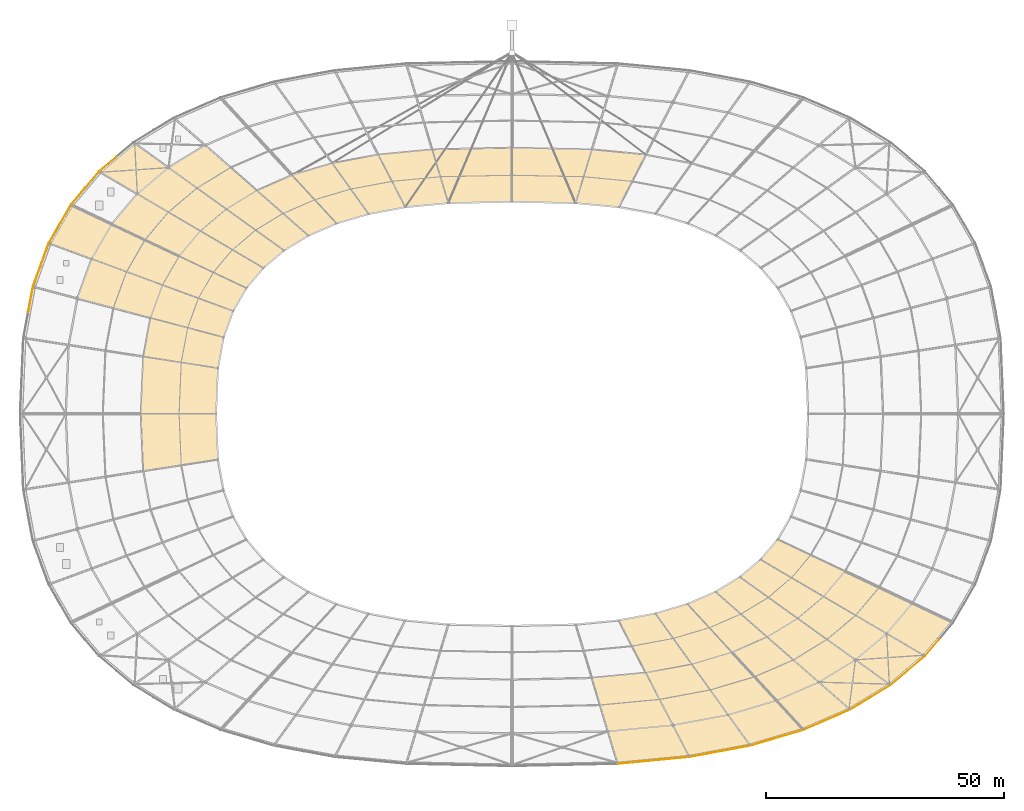
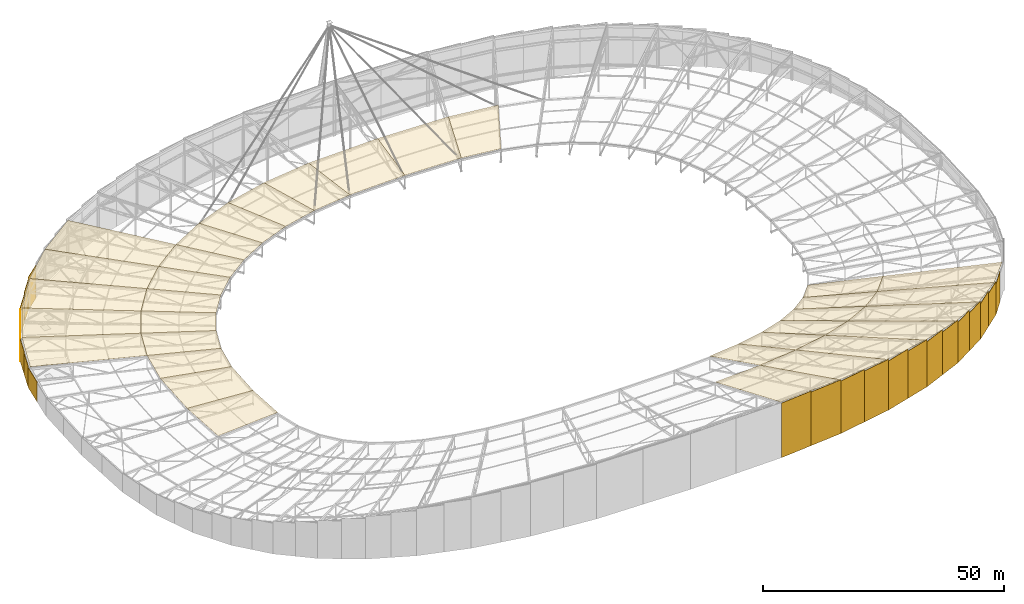
# One storey, part 141 of 143: 54 coverings.
"""IFC4 building model written with IfcOpenShell, lengths in metres."""

from ifc_helpers import new_model, si_unit, direction, frame, origin, origin_2d, place, context, subcontext, project, spatial, polyline, rectangle, outline, extrude, material, layer, layer_set, type_object, element, save


model = new_model("IFC4")

# Units and contexts
model_context = context("Model", 3, precision=1e-05, world=origin(), true_north=direction((0.0, 1.0)))
body_context = subcontext(model_context, "Body", "Model", "MODEL_VIEW")
ifc_project = project(units=[si_unit("LENGTHUNIT", "METRE"), si_unit("AREAUNIT", "SQUARE_METRE"), si_unit("VOLUMEUNIT", "CUBIC_METRE"), si_unit("PLANEANGLEUNIT", "RADIAN"), si_unit("MASSUNIT", "GRAM", prefix="KILO")], contexts=[model_context])

# Site, building, storey
site_placement = place(None, origin())
site = spatial("IfcSite", under=ifc_project, at=site_placement, CompositionType="ELEMENT")
building_placement = place(site_placement, origin())
building = spatial("IfcBuilding", under=site, at=building_placement, Name="Mphavela Belvedere Stadium", CompositionType="ELEMENT")
storey_placement = place(building_placement, frame((0.0, 0.0, 28.800048828125)))
storey = spatial("IfcBuildingStorey", under=building, at=storey_placement, Name="RF", CompositionType="ELEMENT", Elevation=28.800048828125)

# Coverings
ifc_material_1 = material(Name="Carved classical limestone entablature frieze cladding", Category="masonry")
ifc_layer_1 = layer(ifc_material_1, 0.06005859375)
ifc_layer_set_1 = layer_set([ifc_layer_1], Name="Carved classical limestone entablature frieze cladding")
covering_type_1 = type_object("IfcCoveringType", Name="COV-FRIEZE-CLAD", PredefinedType="CLADDING", material=ifc_layer_set_1)
covering_1_placement = place(storey_placement, frame((30.17041015625, 139.345947265625, 0.0), z_axis=(0.0, 0.0, 1.0), x_axis=(-0.764246456939, -0.644924300253, 0.0)))
element("IfcCovering", 1, at=covering_1_placement, inside=storey, type_object=covering_type_1, Name="Classical perforated limestone roof attic screen 19-2", PredefinedType="CLADDING", context=body_context, shape_type="SweptSolid", body=[
    extrude(rectangle(XDim=4.755126953125, YDim=0.080078125, at=origin_2d()), origin(), (0.0, 0.0, 1.0), 8.38427734375),
])
covering_2_placement = place(storey_placement, frame((26.887451171875, 136.071533203125, 0.0), z_axis=(0.0, 0.0, 1.0), x_axis=(-0.645191033296, -0.764021289334, 0.0)))
element("IfcCovering", 2, at=covering_2_placement, inside=storey, type_object=covering_type_1, Name="Classical perforated limestone roof attic screen 20-1", PredefinedType="CLADDING", context=body_context, shape_type="SweptSolid", body=[
    extrude(rectangle(XDim=4.631103515625, YDim=0.080078125, at=origin_2d()), origin(), (0.0, 0.0, 1.0), 7.7841796875),
])
covering_3_placement = place(storey_placement, frame((23.92529296875, 132.563720703125, 0.0), z_axis=(0.0, 0.0, 1.0), x_axis=(-0.645191033296, -0.764021289334, 0.0)))
element("IfcCovering", 3, at=covering_3_placement, inside=storey, type_object=covering_type_1, Name="Classical perforated limestone roof attic screen 20-2", PredefinedType="CLADDING", context=body_context, shape_type="SweptSolid", body=[
    extrude(rectangle(XDim=4.631103515625, YDim=0.080078125, at=origin_2d()), origin(), (0.0, 0.0, 1.0), 7.205322265625),
])
covering_4_placement = place(storey_placement, frame((21.286865234375, 128.80810546875, 0.0), z_axis=(0.0, 0.0, 1.0), x_axis=(-0.500604477892, -0.865676126917, 0.0)))
element("IfcCovering", 4, at=covering_4_placement, inside=storey, type_object=covering_type_1, Name="Classical perforated limestone roof attic screen 21-1", PredefinedType="CLADDING", context=body_context, shape_type="SweptSolid", body=[
    extrude(rectangle(XDim=4.6640625, YDim=0.080078125, at=origin_2d()), origin(), (0.0, 0.0, 1.0), 6.66748046875),
])
covering_5_placement = place(storey_placement, frame((18.972412109375, 124.804931640625, 0.0), z_axis=(0.0, 0.0, 1.0), x_axis=(-0.500604477892, -0.865676126917, 0.0)))
element("IfcCovering", 5, at=covering_5_placement, inside=storey, type_object=covering_type_1, Name="Classical perforated limestone roof attic screen 21-2", PredefinedType="CLADDING", context=body_context, shape_type="SweptSolid", body=[
    extrude(rectangle(XDim=4.6640625, YDim=0.080078125, at=origin_2d()), origin(), (0.0, 0.0, 1.0), 6.17041015625),
])
covering_6_placement = place(storey_placement, frame((16.985107421875, 120.515869140625, 0.0), z_axis=(0.0, 0.0, 1.0), x_axis=(-0.341035912161, -0.940050268133, 0.0)))
element("IfcCovering", 6, at=covering_6_placement, inside=storey, type_object=covering_type_1, Name="Classical perforated limestone roof attic screen 22-1", PredefinedType="CLADDING", context=body_context, shape_type="SweptSolid", body=[
    extrude(rectangle(XDim=4.9072265625, YDim=0.080078125, at=origin_2d()), origin(), (0.0, 0.0, 1.0), 5.731201171875),
])
covering_7_placement = place(storey_placement, frame((15.3251953125, 115.9404296875, 0.0), z_axis=(0.0, 0.0, 1.0), x_axis=(-0.341035912161, -0.940050268133, 0.0)))
element("IfcCovering", 7, at=covering_7_placement, inside=storey, type_object=covering_type_1, Name="Classical perforated limestone roof attic screen 22-2", PredefinedType="CLADDING", context=body_context, shape_type="SweptSolid", body=[
    extrude(rectangle(XDim=4.9072265625, YDim=0.080078125, at=origin_2d()), origin(), (0.0, 0.0, 1.0), 5.349853515625),
])
covering_8_placement = place(storey_placement, frame((13.995849609375, 110.964111328125, 0.0), z_axis=(0.0, 0.0, 1.0), x_axis=(-0.182578735093, -0.983191235463, 0.0)))
element("IfcCovering", 8, at=covering_8_placement, inside=storey, type_object=covering_type_1, Name="Classical perforated limestone roof attic screen 23-1", PredefinedType="CLADDING", context=body_context, shape_type="SweptSolid", body=[
    extrude(rectangle(XDim=5.5087890625, YDim=0.080078125, at=origin_2d()), origin(), (0.0, 0.0, 1.0), 5.039306640625),
])
covering_9_placement = place(storey_placement, frame((140.94189453125, 13.915283203125, 0.0), z_axis=(0.0, 0.0, 1.0), x_axis=(0.995479460536, 0.094977069084, 0.0)))
element("IfcCovering", 9, at=covering_9_placement, inside=storey, type_object=covering_type_1, Name="Classical perforated limestone roof attic screen 38-1", PredefinedType="CLADDING", context=body_context, shape_type="SweptSolid", body=[
    extrude(rectangle(XDim=7.57861328125, YDim=0.080078125, at=origin_2d()), origin(), (0.0, 0.0, 1.0), 13.83251953125),
])
covering_10_placement = place(storey_placement, frame((148.446533203125, 14.631103515625, 0.0), z_axis=(0.0, 0.0, 1.0), x_axis=(0.995479460536, 0.094977069084, 0.0)))
element("IfcCovering", 10, at=covering_10_placement, inside=storey, type_object=covering_type_1, Name="Classical perforated limestone roof attic screen 38-2", PredefinedType="CLADDING", context=body_context, shape_type="SweptSolid", body=[
    extrude(rectangle(XDim=7.57861328125, YDim=0.080078125, at=origin_2d()), origin(), (0.0, 0.0, 1.0), 13.5927734375),
])
covering_11_placement = place(storey_placement, frame((155.3916015625, 15.58349609375, 0.0), z_axis=(0.0, 0.0, 1.0), x_axis=(0.983095502692, 0.183093507769, 0.0)))
element("IfcCovering", 11, at=covering_11_placement, inside=storey, type_object=covering_type_1, Name="Classical perforated limestone roof attic screen 39-1", PredefinedType="CLADDING", context=body_context, shape_type="SweptSolid", body=[
    extrude(rectangle(XDim=6.53564453125, YDim=0.080078125, at=origin_2d()), origin(), (0.0, 0.0, 1.0), 13.2822265625),
])
covering_12_placement = place(storey_placement, frame((161.77734375, 16.772705078125, 0.0), z_axis=(0.0, 0.0, 1.0), x_axis=(0.983095502692, 0.183093507769, 0.0)))
element("IfcCovering", 12, at=covering_12_placement, inside=storey, type_object=covering_type_1, Name="Classical perforated limestone roof attic screen 39-2", PredefinedType="CLADDING", context=body_context, shape_type="SweptSolid", body=[
    extrude(rectangle(XDim=6.53564453125, YDim=0.080078125, at=origin_2d()), origin(), (0.0, 0.0, 1.0), 12.90087890625),
])
covering_13_placement = place(storey_placement, frame((167.763916015625, 18.196533203125, 0.0), z_axis=(0.0, 0.0, 1.0), x_axis=(0.958670893355, 0.284517342588, 0.0)))
element("IfcCovering", 13, at=covering_13_placement, inside=storey, type_object=covering_type_1, Name="Classical perforated limestone roof attic screen 40-1", PredefinedType="CLADDING", context=body_context, shape_type="SweptSolid", body=[
    extrude(rectangle(XDim=5.867919921875, YDim=0.080078125, at=origin_2d()), origin(), (0.0, 0.0, 1.0), 12.461669921875),
])
covering_14_placement = place(storey_placement, frame((173.35107421875, 19.85498046875, 0.0), z_axis=(0.0, 0.0, 1.0), x_axis=(0.958670893355, 0.284517342588, 0.0)))
element("IfcCovering", 14, at=covering_14_placement, inside=storey, type_object=covering_type_1, Name="Classical perforated limestone roof attic screen 40-2", PredefinedType="CLADDING", context=body_context, shape_type="SweptSolid", body=[
    extrude(rectangle(XDim=5.867919921875, YDim=0.080078125, at=origin_2d()), origin(), (0.0, 0.0, 1.0), 11.964599609375),
])
covering_15_placement = place(storey_placement, frame((178.59228515625, 21.745361328125, 0.0), z_axis=(0.0, 0.0, 1.0), x_axis=(0.917477140523, 0.397788507398, 0.0)))
element("IfcCovering", 15, at=covering_15_placement, inside=storey, type_object=covering_type_1, Name="Classical perforated limestone roof attic screen 41-1", PredefinedType="CLADDING", context=body_context, shape_type="SweptSolid", body=[
    extrude(rectangle(XDim=5.376220703125, YDim=0.080078125, at=origin_2d()), origin(), (0.0, 0.0, 1.0), 11.426513671875),
])
covering_16_placement = place(storey_placement, frame((183.48828125, 23.867919921875, 0.0), z_axis=(0.0, 0.0, 1.0), x_axis=(0.917477140523, 0.397788507398, 0.0)))
element("IfcCovering", 16, at=covering_16_placement, inside=storey, type_object=covering_type_1, Name="Classical perforated limestone roof attic screen 41-2", PredefinedType="CLADDING", context=body_context, shape_type="SweptSolid", body=[
    extrude(rectangle(XDim=5.376220703125, YDim=0.080078125, at=origin_2d()), origin(), (0.0, 0.0, 1.0), 10.84765625),
])
covering_17_placement = place(storey_placement, frame((188.058349609375, 26.219970703125, 0.0), z_axis=(0.0, 0.0, 1.0), x_axis=(0.854368143929, 0.519668235165, 0.0)))
element("IfcCovering", 17, at=covering_17_placement, inside=storey, type_object=covering_type_1, Name="Classical perforated limestone roof attic screen 42-1", PredefinedType="CLADDING", context=body_context, shape_type="SweptSolid", body=[
    extrude(rectangle(XDim=5.0078125, YDim=0.080078125, at=origin_2d()), origin(), (0.0, 0.0, 1.0), 10.247802734375),
])
covering_18_placement = place(storey_placement, frame((192.30224609375, 28.802001953125, 0.0), z_axis=(0.0, 0.0, 1.0), x_axis=(0.854368143929, 0.519668235165, 0.0)))
element("IfcCovering", 18, at=covering_18_placement, inside=storey, type_object=covering_type_1, Name="Classical perforated limestone roof attic screen 42-2", PredefinedType="CLADDING", context=body_context, shape_type="SweptSolid", body=[
    extrude(rectangle(XDim=5.0078125, YDim=0.080078125, at=origin_2d()), origin(), (0.0, 0.0, 1.0), 9.626708984375),
])
covering_19_placement = place(storey_placement, frame((196.226318359375, 31.61328125, 0.0), z_axis=(0.0, 0.0, 1.0), x_axis=(0.764246456939, 0.644924300253, 0.0)))
element("IfcCovering", 19, at=covering_19_placement, inside=storey, type_object=covering_type_1, Name="Classical perforated limestone roof attic screen 43-1", PredefinedType="CLADDING", context=body_context, shape_type="SweptSolid", body=[
    extrude(rectangle(XDim=4.755126953125, YDim=0.080078125, at=origin_2d()), origin(), (0.0, 0.0, 1.0), 9.00537109375),
])
covering_20_placement = place(storey_placement, frame((199.82958984375, 34.654052734375, 0.0), z_axis=(0.0, 0.0, 1.0), x_axis=(0.764246456939, 0.644924300253, 0.0)))
element("IfcCovering", 20, at=covering_20_placement, inside=storey, type_object=covering_type_1, Name="Classical perforated limestone roof attic screen 43-2", PredefinedType="CLADDING", context=body_context, shape_type="SweptSolid", body=[
    extrude(rectangle(XDim=4.755126953125, YDim=0.080078125, at=origin_2d()), origin(), (0.0, 0.0, 1.0), 8.38427734375),
])
covering_21_placement = place(storey_placement, frame((203.112548828125, 37.928466796875, 0.0), z_axis=(0.0, 0.0, 1.0), x_axis=(0.645191033296, 0.764021289334, 0.0)))
element("IfcCovering", 21, at=covering_21_placement, inside=storey, type_object=covering_type_1, Name="Classical perforated limestone roof attic screen 44-1", PredefinedType="CLADDING", context=body_context, shape_type="SweptSolid", body=[
    extrude(rectangle(XDim=4.631103515625, YDim=0.080078125, at=origin_2d()), origin(), (0.0, 0.0, 1.0), 7.7841796875),
])
ifc_material_2 = material(Name="Translucent polycarbonate roof panel")
ifc_layer_2 = layer(ifc_material_2, 0.0400390625)
ifc_layer_set_2 = layer_set([ifc_layer_2], Name="Translucent polycarbonate roof panel")
covering_type_2 = type_object("IfcCoveringType", Name="COV-ROOF-POLY", PredefinedType="ROOFING", material=ifc_layer_set_2)
covering_22_placement = place(storey_placement, frame((137.383544921875, 130.331298828125, 7.40185546875), z_axis=(0.010754843789, -0.215397933483, 0.9764671339), x_axis=(-0.99497894727, 0.09486931148, 0.031885862528)))
element("IfcCovering", 22, at=covering_22_placement, inside=storey, type_object=covering_type_2, Name="Saddle canopy UV polycarbonate covering 11-1", PredefinedType="ROOFING", context=body_context, shape_type="SweptSolid", body=[
    extrude(outline(polyline([(0.0, 0.0), (9.076826638660473, -9.71445146547012e-17), (6.845965090931907, -11.763015673818451), (-4.535648147716331, -11.762974657937733), (0.0, 0.0)])), origin(), (0.0, 0.0, -1.0), 0.0400390625),
])
covering_23_placement = place(storey_placement, frame((128.352294921875, 131.1923828125, 7.69140625), z_axis=(0.002641050569, -0.213073375177, 0.977032630797), x_axis=(-0.999740814081, 0.021530802958, 0.007397917608)))
element("IfcCovering", 23, at=covering_23_placement, inside=storey, type_object=covering_type_2, Name="Saddle canopy UV polycarbonate covering 12-1", PredefinedType="ROOFING", context=body_context, shape_type="SweptSolid", body=[
    extrude(outline(polyline([(0.0, 0.0), (13.35575608093119, -6.938893903907228e-18), (13.61714060358537, -11.556227634205616), (-3.1296278081659983, -11.556414268979767), (0.0, 0.0)])), origin(), (0.0, 0.0, -1.0), 0.0400390625),
])
covering_24_placement = place(storey_placement, frame((115.0, 131.47998046875, 7.7900390625), z_axis=(-0.002641050569, -0.213073375177, 0.977032630797), x_axis=(-0.999740814081, -0.021530802958, -0.007397917608)))
element("IfcCovering", 24, at=covering_24_placement, inside=storey, type_object=covering_type_2, Name="Saddle canopy UV polycarbonate covering 13-1", PredefinedType="ROOFING", context=body_context, shape_type="SweptSolid", body=[
    extrude(outline(polyline([(0.0, 0.0), (13.35575608093119, 6.938893903907228e-18), (16.48538388909719, -11.556414268979768), (-0.261384522654181, -11.556227634205616), (0.0, 0.0)])), origin(), (0.0, 0.0, -1.0), 0.0400390625),
])
covering_25_placement = place(storey_placement, frame((101.647705078125, 131.1923828125, 7.69140625), z_axis=(-0.010754843789, -0.215397933483, 0.9764671339), x_axis=(-0.99497894727, -0.09486931148, -0.031885862528)))
element("IfcCovering", 25, at=covering_25_placement, inside=storey, type_object=covering_type_2, Name="Saddle canopy UV polycarbonate covering 14-1", PredefinedType="ROOFING", context=body_context, shape_type="SweptSolid", body=[
    extrude(outline(polyline([(0.0, 0.0), (9.076826638660473, 9.71445146547012e-17), (13.612474786376803, -11.762974657937733), (2.2308615477285656, -11.763015673818451), (0.0, 0.0)])), origin(), (0.0, 0.0, -1.0), 0.0400390625),
])
covering_26_placement = place(storey_placement, frame((92.616455078125, 130.331298828125, 7.40185546875), z_axis=(-0.017716384697, -0.218808731373, 0.975606923299), x_axis=(-0.981391537632, -0.182787366369, -0.058816907092)))
element("IfcCovering", 26, at=covering_26_placement, inside=storey, type_object=covering_type_2, Name="Saddle canopy UV polycarbonate covering 15-1", PredefinedType="ROOFING", context=body_context, shape_type="SweptSolid", body=[
    extrude(outline(polyline([(0.0, 0.0), (7.830774862642115, 1.1102230246251565e-16), (13.246390116368696, -12.132352860810734), (3.4274558578971215, -12.132280217011813), (0.0, 0.0)])), origin(), (0.0, 0.0, -1.0), 0.0400390625),
])
covering_27_placement = place(storey_placement, frame((84.931396484375, 128.89990234375, 6.94140625), z_axis=(-0.02136301792, -0.22128636647, 0.974974853768), x_axis=(-0.955175670679, -0.283492592206, -0.085272435795)))
element("IfcCovering", 27, at=covering_27_placement, inside=storey, type_object=covering_type_2, Name="Saddle canopy UV polycarbonate covering 16-1", PredefinedType="ROOFING", context=body_context, shape_type="SweptSolid", body=[
    extrude(outline(polyline([(0.0, 0.0), (7.039415652952659, -4.3021142204224816e-16), (12.91152905987907, -12.642406997704702), (4.084621322207358, -12.642734798396608), (0.0, 0.0)])), origin(), (0.0, 0.0, -1.0), 0.0400390625),
])
covering_28_placement = place(storey_placement, frame((78.20751953125, 126.904296875, 6.341064453125), z_axis=(-0.020204280881, -0.220276327058, 0.975228243424), x_axis=(-0.912114152586, -0.395397621175, -0.108205793839)))
element("IfcCovering", 28, at=covering_28_placement, inside=storey, type_object=covering_type_2, Name="Saddle canopy UV polycarbonate covering 17-1", PredefinedType="ROOFING", context=body_context, shape_type="SweptSolid", body=[
    extrude(outline(polyline([(0.0, 0.0), (6.45981593237783, 3.608224830031759e-16), (12.388013676487063, -13.263782340583806), (4.287993344447949, -13.263682883832265), (0.0, 0.0)])), origin(), (0.0, 0.0, -1.0), 0.0400390625),
])
covering_29_placement = place(storey_placement, frame((72.3154296875, 124.35009765625, 5.64208984375), z_axis=(-0.013733179277, -0.213217345018, 0.976908267736), x_axis=(-0.847661594351, -0.51572778505, -0.124477601161)))
element("IfcCovering", 29, at=covering_29_placement, inside=storey, type_object=covering_type_2, Name="Saddle canopy UV polycarbonate covering 18-1", PredefinedType="ROOFING", context=body_context, shape_type="SweptSolid", body=[
    extrude(outline(polyline([(0.0, 0.0), (6.0253073712629135, -2.7755575615628914e-17), (11.612466484057926, -13.95043429279805), (4.057328206644785, -13.950252266363531), (0.0, 0.0)])), origin(), (0.0, 0.0, -1.0), 0.0400390625),
])
covering_30_placement = place(storey_placement, frame((61.4775390625, 133.83349609375, 7.5595703125), z_axis=(-0.013732704437, -0.21322645444, 0.976906286169), x_axis=(-0.847674309717, -0.515706824103, -0.124477854334)))
element("IfcCovering", 30, at=covering_30_placement, inside=storey, type_object=covering_type_2, Name="Saddle canopy UV polycarbonate covering 18-2", PredefinedType="ROOFING", context=body_context, shape_type="SweptSolid", body=[
    extrude(outline(polyline([(0.0, 0.0), (7.555138279601496, 5.828670879282072e-16), (16.409120716801258, -22.10560024004622), (6.429873982060302, -22.105453772882665), (0.0, 0.0)])), origin(), (0.0, 0.0, -1.0), 0.0400390625),
])
covering_31_placement = place(storey_placement, frame((67.2080078125, 121.24267578125, 4.89208984375), z_axis=(-0.002399905899, -0.198067178386, 0.980185509635), x_axis=(-0.757684743697, -0.639328589007, -0.131044971089)))
element("IfcCovering", 31, at=covering_31_placement, inside=storey, type_object=covering_type_2, Name="Saddle canopy UV polycarbonate covering 19-1", PredefinedType="ROOFING", context=body_context, shape_type="SweptSolid", body=[
    extrude(outline(polyline([(0.0, 0.0), (5.723903614211194, 9.71445146547012e-17), (10.586440190159847, -14.635437630919384), (3.4093118493480654, -14.635831257513168), (0.0, 0.0)])), origin(), (0.0, 0.0, -1.0), 0.0400390625),
])
covering_32_placement = place(storey_placement, frame((55.0732421875, 129.937255859375, 6.619140625), z_axis=(-0.002392054769, -0.198047747663, 0.980189455013), x_axis=(-0.757648995264, -0.639373077979, -0.131034602797)))
element("IfcCovering", 32, at=covering_32_placement, inside=storey, type_object=covering_type_2, Name="Saddle canopy UV polycarbonate covering 19-2", PredefinedType="ROOFING", context=body_context, shape_type="SweptSolid", body=[
    extrude(outline(polyline([(0.0, 0.0), (7.177128353319401, 1.1657341758564144e-15), (14.88129010369906, -23.192590789533337), (5.401170186067652, -23.192195402589856), (0.0, 0.0)])), origin(), (0.0, 0.0, -1.0), 0.0400390625),
])
covering_33_placement = place(storey_placement, frame((62.87109375, 117.583251953125, 4.141845703125), z_axis=(0.012499055619, -0.173574574961, 0.984741407952), x_axis=(-0.6400544145, -0.758012864044, -0.125486431227)))
element("IfcCovering", 33, at=covering_33_placement, inside=storey, type_object=covering_type_2, Name="Saddle canopy UV polycarbonate covering 20-1", PredefinedType="ROOFING", context=body_context, shape_type="SweptSolid", body=[
    extrude(outline(polyline([(0.0, 0.0), (5.569368925132809, -4.996003610813204e-16), (9.376089652424456, -15.235529322913775), (2.3925722009111072, -15.235350172096126), (0.0, 0.0)])), origin(), (0.0, 0.0, -1.0), 0.0400390625),
])
covering_34_placement = place(storey_placement, frame((49.635498046875, 125.348388671875, 5.6787109375), z_axis=(0.012483112725, -0.173591051891, 0.984738705749), x_axis=(-0.640074409653, -0.757992736839, -0.125506019804)))
element("IfcCovering", 34, at=covering_34_placement, inside=storey, type_object=covering_type_2, Name="Saddle canopy UV polycarbonate covering 20-2", PredefinedType="ROOFING", context=body_context, shape_type="SweptSolid", body=[
    extrude(outline(polyline([(0.0, 0.0), (6.98351745546173, -1.0269562977782698e-15), (13.016169062510098, -24.142586709938037), (3.7919935290934816, -24.142724802360682), (0.0, 0.0)])), origin(), (0.0, 0.0, -1.0), 0.0400390625),
])
covering_35_placement = place(storey_placement, frame((59.306396484375, 113.361572265625, 3.443115234375), z_axis=(0.028856356997, -0.140011464477, 0.989729306667), x_axis=(-0.497643603936, -0.860725094897, -0.107252759761)))
element("IfcCovering", 35, at=covering_35_placement, inside=storey, type_object=covering_type_2, Name="Saddle canopy UV polycarbonate covering 21-1", PredefinedType="ROOFING", context=body_context, shape_type="SweptSolid", body=[
    extrude(outline(polyline([(0.0, 0.0), (5.597177419716359, 3.191891195797325e-16), (8.148600632607241, -15.663475709530788), (1.1302001631519305, -15.663177329598065), (0.0, 0.0)])), origin(), (0.0, 0.0, -1.0), 0.0400390625),
])
covering_36_placement = place(storey_placement, frame((45.16552734375, 120.054931640625, 4.80224609375), z_axis=(0.028862152723, -0.140004301385, 0.989730150967), x_axis=(-0.49768019511, -0.860705565907, -0.107239695134)))
element("IfcCovering", 36, at=covering_36_placement, inside=storey, type_object=covering_type_2, Name="Saddle canopy UV polycarbonate covering 21-2", PredefinedType="ROOFING", context=body_context, shape_type="SweptSolid", body=[
    extrude(outline(polyline([(0.0, 0.0), (7.018400475773272, -3.0531133177191805e-16), (11.062363237996466, -24.820278195535746), (1.7917869742502843, -24.820291656156545), (0.0, 0.0)])), origin(), (0.0, 0.0, -1.0), 0.0400390625),
])
covering_37_placement = place(storey_placement, frame((56.52099609375, 108.5439453125, 2.8427734375), z_axis=(0.044251671248, -0.099185327266, 0.994084533854), x_axis=(-0.340014874302, -0.937148983878, -0.078368790151)))
element("IfcCovering", 37, at=covering_37_placement, inside=storey, type_object=covering_type_2, Name="Saddle canopy UV polycarbonate covering 22-1", PredefinedType="ROOFING", context=body_context, shape_type="SweptSolid", body=[
    extrude(outline(polyline([(0.0, 0.0), (5.875635604742094, 4.163336342344337e-17), (7.194994052926095, -15.868863240229345), (-0.17230772029580965, -15.868980489131246), (0.0, 0.0)])), origin(), (0.0, 0.0, -1.0), 0.0400390625),
])
covering_38_placement = place(storey_placement, frame((41.672607421875, 114.01416015625, 4.049560546875), z_axis=(0.044245308, -0.099200765104, 0.994083276654), x_axis=(-0.340000664528, -0.937152648351, -0.078386617544)))
element("IfcCovering", 38, at=covering_38_placement, inside=storey, type_object=covering_type_2, Name="Saddle canopy UV polycarbonate covering 22-2", PredefinedType="ROOFING", context=body_context, shape_type="SweptSolid", body=[
    extrude(outline(polyline([(0.0, 0.0), (7.367301773413963, -2.220446049250313e-16), (9.457827454180883, -25.145729455522236), (-0.27353103311899707, -25.14607375496118), (0.0, 0.0)])), origin(), (0.0, 0.0, -1.0), 0.0400390625),
])
covering_39_placement = place(storey_placement, frame((54.523193359375, 103.03759765625, 2.38232421875), z_axis=(0.056164272508, -0.0550547547, 0.996902476915), x_axis=(-0.182443772606, -0.982232795792, -0.043965949412)))
element("IfcCovering", 39, at=covering_39_placement, inside=storey, type_object=covering_type_2, Name="Saddle canopy UV polycarbonate covering 23-1", PredefinedType="ROOFING", context=body_context, shape_type="SweptSolid", body=[
    extrude(outline(polyline([(0.0, 0.0), (6.587757884317763, -3.226585665316861e-16), (7.0144497639369465, -15.87472905776282), (-1.2463192163421974, -15.874766632555215), (0.0, 0.0)])), origin(), (0.0, 0.0, -1.0), 0.0400390625),
])
covering_40_placement = place(storey_placement, frame((53.3212890625, 96.56689453125, 2.092529296875), z_axis=(0.062764675151, -0.012937676198, 0.99794449349), x_axis=(-0.041915656124, -0.999067894558, -0.010315998982)))
element("IfcCovering", 40, at=covering_40_placement, inside=storey, type_object=covering_type_2, Name="Saddle canopy UV polycarbonate covering 24-1", PredefinedType="ROOFING", context=body_context, shape_type="SweptSolid", body=[
    extrude(outline(polyline([(0.0, 0.0), (9.575818241799112, -1.9081958235744878e-17), (10.22628639377572, -15.780185589169587), (-1.7807521057031033, -15.78030451409729), (0.0, 0.0)])), origin(), (0.0, 0.0, -1.0), 0.0400390625),
])
covering_41_placement = place(storey_placement, frame((52.919921875, 87.0, 1.993896484375), z_axis=(0.062764675151, 0.012937676198, 0.99794449349), x_axis=(0.041915656124, -0.999067894558, 0.010315998982)))
element("IfcCovering", 41, at=covering_41_placement, inside=storey, type_object=covering_type_2, Name="Saddle canopy UV polycarbonate covering 25-1", PredefinedType="ROOFING", context=body_context, shape_type="SweptSolid", body=[
    extrude(outline(polyline([(0.0, 0.0), (9.575818241799112, 1.9081958235744878e-17), (11.356570347502219, -15.780304514097292), (-0.6504681519766061, -15.780185589169587), (0.0, 0.0)])), origin(), (0.0, 0.0, -1.0), 0.0400390625),
])
covering_42_placement = place(storey_placement, frame((131.742431640625, 31.586669921875, 10.129150390625), z_axis=(0.01075163302, 0.215405210828, 0.976465563927), x_axis=(0.994978615076, 0.094873342491, -0.031884234758)))
element("IfcCovering", 42, at=covering_42_placement, inside=storey, type_object=covering_type_2, Name="Saddle canopy UV polycarbonate covering 38-2", PredefinedType="ROOFING", context=body_context, shape_type="SweptSolid", body=[
    extrude(outline(polyline([(0.0, 0.0), (11.381613239010411, 8.326672684688674e-17), (18.568787353357173, -18.63935652953463), (3.5350201794487672, -18.639595465707835), (0.0, 0.0)])), origin(), (0.0, 0.0, -1.0), 0.0400390625),
])
covering_43_placement = place(storey_placement, frame((137.383544921875, 43.668701171875, 7.40185546875), z_axis=(0.017716384697, 0.218808731373, 0.975606923299), x_axis=(0.981391537632, 0.182787366369, -0.058816907092)))
element("IfcCovering", 43, at=covering_43_placement, inside=storey, type_object=covering_type_2, Name="Saddle canopy UV polycarbonate covering 39-1", PredefinedType="ROOFING", context=body_context, shape_type="SweptSolid", body=[
    extrude(outline(polyline([(0.0, 0.0), (7.830774862642115, 1.1102230246251565e-16), (13.246390116368696, -12.132352860810734), (3.4274558578971215, -12.132280217011813), (0.0, 0.0)])), origin(), (0.0, 0.0, -1.0), 0.0400390625),
])
covering_44_placement = place(storey_placement, frame((143.06689453125, 32.66650390625, 9.766357421875), z_axis=(0.017728133813, 0.218818356617, 0.975604551075), x_axis=(0.981392714147, 0.18277733663, -0.058828444091)))
element("IfcCovering", 44, at=covering_44_placement, inside=storey, type_object=covering_type_2, Name="Saddle canopy UV polycarbonate covering 39-2", PredefinedType="ROOFING", context=body_context, shape_type="SweptSolid", body=[
    extrude(outline(polyline([(0.0, 0.0), (9.81893425968205, 2.498001805406602e-16), (18.40117209444884, -19.224733323874474), (5.431368726802666, -19.224497843877355), (0.0, 0.0)])), origin(), (0.0, 0.0, -1.0), 0.0400390625),
])
covering_45_placement = place(storey_placement, frame((145.068603515625, 45.10009765625, 6.94140625), z_axis=(0.02136301792, 0.22128636647, 0.974974853768), x_axis=(0.955175670679, 0.283492592206, -0.085272435795)))
element("IfcCovering", 45, at=covering_45_placement, inside=storey, type_object=covering_type_2, Name="Saddle canopy UV polycarbonate covering 40-1", PredefinedType="ROOFING", context=body_context, shape_type="SweptSolid", body=[
    extrude(outline(polyline([(0.0, 0.0), (7.039415652952659, -4.3021142204224816e-16), (12.91152905987907, -12.642406997704702), (4.084621322207358, -12.642734798396608), (0.0, 0.0)])), origin(), (0.0, 0.0, -1.0), 0.0400390625),
])
covering_46_placement = place(storey_placement, frame((152.703125, 34.461181640625, 9.188720703125), z_axis=(0.02135179677, 0.221287117416, 0.974974929134), x_axis=(0.955164929305, 0.283529569935, -0.085269811767)))
element("IfcCovering", 46, at=covering_46_placement, inside=storey, type_object=covering_type_2, Name="Saddle canopy UV polycarbonate covering 40-2", PredefinedType="ROOFING", context=body_context, shape_type="SweptSolid", body=[
    extrude(outline(polyline([(0.0, 0.0), (8.82690774406509, -4.163336342344337e-16), (18.131228995289376, -20.033844096290373), (6.472268512930808, -20.033844312134352), (0.0, 0.0)])), origin(), (0.0, 0.0, -1.0), 0.0400390625),
])
covering_47_placement = place(storey_placement, frame((151.79248046875, 47.095703125, 6.341064453125), z_axis=(0.020204280881, 0.220276327058, 0.975228243424), x_axis=(0.912114152586, 0.395397621175, -0.108205793839)))
element("IfcCovering", 47, at=covering_47_placement, inside=storey, type_object=covering_type_2, Name="Saddle canopy UV polycarbonate covering 41-1", PredefinedType="ROOFING", context=body_context, shape_type="SweptSolid", body=[
    extrude(outline(polyline([(0.0, 0.0), (6.45981593237783, 3.608224830031759e-16), (12.388013676487063, -13.263782340583806), (4.287993344447949, -13.263682883832265), (0.0, 0.0)])), origin(), (0.0, 0.0, -1.0), 0.0400390625),
])
covering_48_placement = place(storey_placement, frame((161.13427734375, 36.9638671875, 8.43603515625), z_axis=(0.020202543556, 0.220281385412, 0.975227136863), x_axis=(0.912119169022, 0.395386554404, -0.108203946782)))
element("IfcCovering", 48, at=covering_48_placement, inside=storey, type_object=covering_type_2, Name="Saddle canopy UV polycarbonate covering 41-2", PredefinedType="ROOFING", context=body_context, shape_type="SweptSolid", body=[
    extrude(outline(polyline([(0.0, 0.0), (8.100020332656722, 2.220446049250313e-16), (17.494202780749614, -21.017699732900855), (6.795084432483262, -21.017900246600583), (0.0, 0.0)])), origin(), (0.0, 0.0, -1.0), 0.0400390625),
])
covering_49_placement = place(storey_placement, frame((157.6845703125, 49.64990234375, 5.64208984375), z_axis=(0.013733179277, 0.213217345018, 0.976908267736), x_axis=(0.847661594351, 0.51572778505, -0.124477601161)))
element("IfcCovering", 49, at=covering_49_placement, inside=storey, type_object=covering_type_2, Name="Saddle canopy UV polycarbonate covering 42-1", PredefinedType="ROOFING", context=body_context, shape_type="SweptSolid", body=[
    extrude(outline(polyline([(0.0, 0.0), (6.0253073712629135, -2.7755575615628914e-17), (11.612466484057926, -13.95043429279805), (4.057328206644785, -13.950252266363531), (0.0, 0.0)])), origin(), (0.0, 0.0, -1.0), 0.0400390625),
])
covering_50_placement = place(storey_placement, frame((168.5224609375, 40.16650390625, 7.5595703125), z_axis=(0.013732704437, 0.21322645444, 0.976906286169), x_axis=(0.847674309717, 0.515706824103, -0.124477854334)))
element("IfcCovering", 50, at=covering_50_placement, inside=storey, type_object=covering_type_2, Name="Saddle canopy UV polycarbonate covering 42-2", PredefinedType="ROOFING", context=body_context, shape_type="SweptSolid", body=[
    extrude(outline(polyline([(0.0, 0.0), (7.555138279601496, 5.828670879282072e-16), (16.409120716801258, -22.10560024004622), (6.429873982060302, -22.105453772882665), (0.0, 0.0)])), origin(), (0.0, 0.0, -1.0), 0.0400390625),
])
covering_51_placement = place(storey_placement, frame((162.7919921875, 52.75732421875, 4.89208984375), z_axis=(0.002399905899, 0.198067178386, 0.980185509635), x_axis=(0.757684743697, 0.639328589007, -0.131044971089)))
element("IfcCovering", 51, at=covering_51_placement, inside=storey, type_object=covering_type_2, Name="Saddle canopy UV polycarbonate covering 43-1", PredefinedType="ROOFING", context=body_context, shape_type="SweptSolid", body=[
    extrude(outline(polyline([(0.0, 0.0), (5.723903614211194, 9.71445146547012e-17), (10.586440190159847, -14.635437630919384), (3.4093118493480654, -14.635831257513168), (0.0, 0.0)])), origin(), (0.0, 0.0, -1.0), 0.0400390625),
])
covering_52_placement = place(storey_placement, frame((174.9267578125, 44.062744140625, 6.619140625), z_axis=(0.002392054769, 0.198047747663, 0.980189455013), x_axis=(0.757648995264, 0.639373077979, -0.131034602797)))
element("IfcCovering", 52, at=covering_52_placement, inside=storey, type_object=covering_type_2, Name="Saddle canopy UV polycarbonate covering 43-2", PredefinedType="ROOFING", context=body_context, shape_type="SweptSolid", body=[
    extrude(outline(polyline([(0.0, 0.0), (7.177128353319401, 1.1657341758564144e-15), (14.88129010369906, -23.192590789533337), (5.401170186067652, -23.192195402589856), (0.0, 0.0)])), origin(), (0.0, 0.0, -1.0), 0.0400390625),
])
covering_53_placement = place(storey_placement, frame((167.12890625, 56.416748046875, 4.141845703125), z_axis=(-0.012499055619, 0.173574574961, 0.984741407952), x_axis=(0.6400544145, 0.758012864044, -0.125486431227)))
element("IfcCovering", 53, at=covering_53_placement, inside=storey, type_object=covering_type_2, Name="Saddle canopy UV polycarbonate covering 44-1", PredefinedType="ROOFING", context=body_context, shape_type="SweptSolid", body=[
    extrude(outline(polyline([(0.0, 0.0), (5.569368925132809, -4.996003610813204e-16), (9.376089652424456, -15.235529322913775), (2.3925722009111072, -15.235350172096126), (0.0, 0.0)])), origin(), (0.0, 0.0, -1.0), 0.0400390625),
])
covering_54_placement = place(storey_placement, frame((180.364501953125, 48.651611328125, 5.6787109375), z_axis=(-0.012483112725, 0.173591051891, 0.984738705749), x_axis=(0.640074409653, 0.757992736839, -0.125506019804)))
element("IfcCovering", 54, at=covering_54_placement, inside=storey, type_object=covering_type_2, Name="Saddle canopy UV polycarbonate covering 44-2", PredefinedType="ROOFING", context=body_context, shape_type="SweptSolid", body=[
    extrude(outline(polyline([(0.0, 0.0), (6.98351745546173, -1.0269562977782698e-15), (13.016169062510098, -24.142586709938037), (3.7919935290934816, -24.142724802360682), (0.0, 0.0)])), origin(), (0.0, 0.0, -1.0), 0.0400390625),
])

save(model, "model.ifc")
